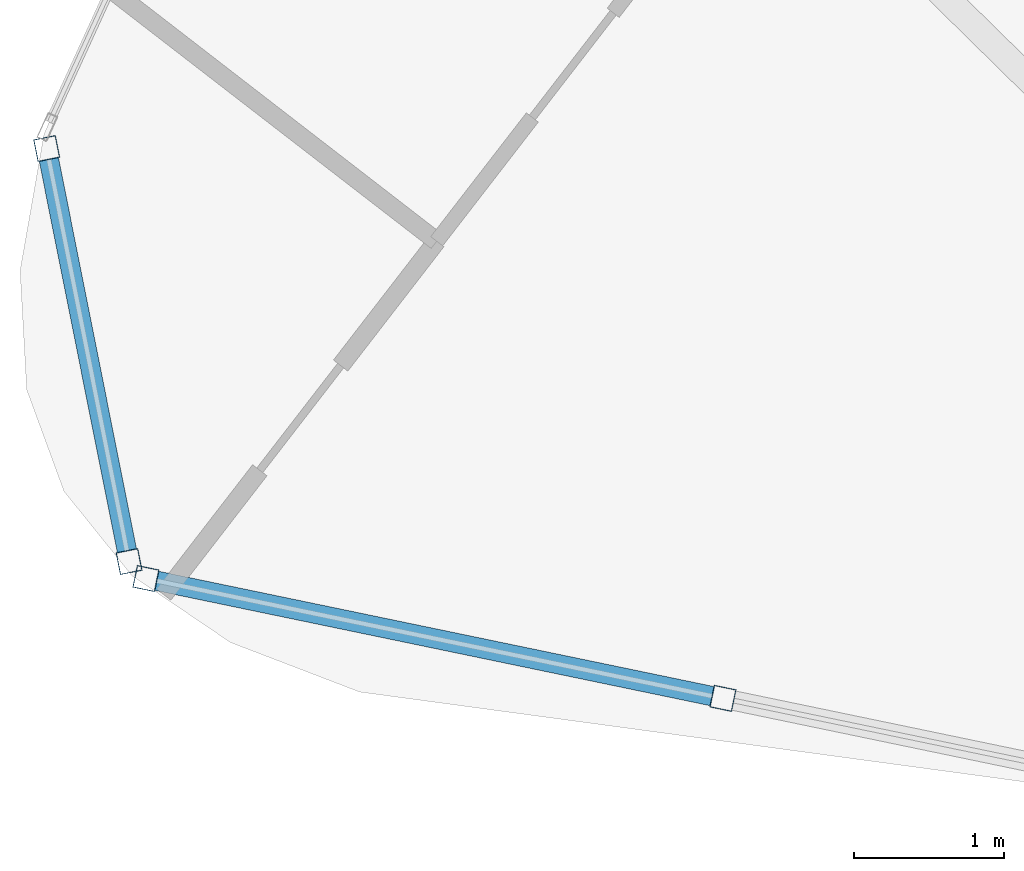
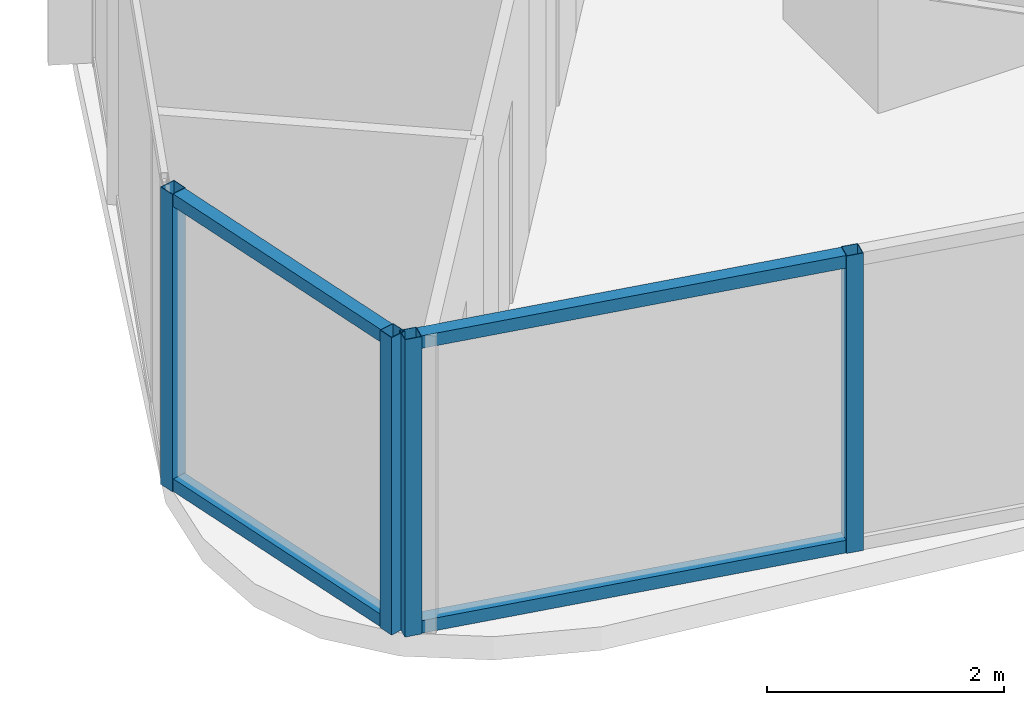
# One storey, part 2 of 34: 8 members, 2 elements without a shape of their own.
"""IFC4 building model written with IfcOpenShell, lengths in metres."""

import ifcopenshell
import ifcopenshell.guid

model = None  # the IFC model being written
_history = None  # IfcOwnerHistory: only IFC2X3 demands one
_inside = {}  # id of a spatial element -> (the spatial element, [elements in it])
_under = {}  # id of a project, library or spatial element -> (it, [spatial elements below it])
_declared = {}  # id of a project -> (the project, [libraries it declares])
_typed = {}  # id of a type object -> (the type object, [elements of that type])
_made_of = {}  # id of a material, layer set ... -> (it, [elements and type objects made of it])


def new_model(schema):
    """Start an empty IFC model of exactly this schema.

    Asked for "IFC4X3", IfcOpenShell would pick the latest addendum, in which some entities
    have other attributes; the version numbers below select the first issue.
    IFC2X3 requires an IfcOwnerHistory on every rooted entity: one is made here for all.
    """
    global model, _history
    if schema == "IFC4X3":
        model = ifcopenshell.file(schema_version=(4, 3, 0, 0))
    else:
        model = ifcopenshell.file(schema=schema)
    _inside.clear()
    _under.clear()
    _declared.clear()
    _typed.clear()
    _made_of.clear()
    _history = None
    if model.schema == "IFC2X3":
        org = make("IfcOrganization", Name="unknown")
        user = make(
            "IfcPersonAndOrganization",
            ThePerson=make("IfcPerson", FamilyName="unknown"),
            TheOrganization=org,
        )
        app = make(
            "IfcApplication",
            ApplicationDeveloper=org,
            Version="unknown",
            ApplicationFullName="unknown",
            ApplicationIdentifier="unknown",
        )
        _history = make(
            "IfcOwnerHistory",
            OwningUser=user,
            OwningApplication=app,
            ChangeAction="ADDED",
            CreationDate=0,
        )
    return model


def make(cls, **values):
    """One entity of the class cls with the attributes given. An attribute that is None is left unset."""
    return model.create_entity(
        cls, **{name: value for name, value in values.items() if value is not None}
    )


def rooted(cls, **values):
    """An entity with a GlobalId (a new one), such as an element, a storey or a relation."""
    return make(cls, GlobalId=ifcopenshell.guid.new(), OwnerHistory=_history, **values)


def si_unit(unit_type, name, prefix=None):
    """IfcSIUnit, for example si_unit("LENGTHUNIT", "METRE", prefix="MILLI")."""
    return make("IfcSIUnit", UnitType=unit_type, Prefix=prefix, Name=name)


def assignment(units):
    """IfcUnitAssignment: the units of a project."""
    return None if units is None else make("IfcUnitAssignment", Units=units)


def point(xyz):
    """IfcCartesianPoint."""
    return None if xyz is None else make("IfcCartesianPoint", Coordinates=xyz)


def direction(xyz):
    """IfcDirection."""
    return None if xyz is None else make("IfcDirection", DirectionRatios=xyz)


def frame(location, z_axis=None, x_axis=None):
    """IfcAxis2Placement3D, a coordinate frame: its origin and axes. An axis left out is left unset."""
    return make(
        "IfcAxis2Placement3D",
        Location=point(location),
        Axis=direction(z_axis),
        RefDirection=direction(x_axis),
    )


def frame_2d(location, x_axis=None):
    """IfcAxis2Placement2D, a coordinate frame in the plane: its origin and x axis."""
    return make(
        "IfcAxis2Placement2D", Location=point(location), RefDirection=direction(x_axis)
    )


def origin():
    """The frame at (0, 0, 0) with its axes left unset."""
    return frame((0.0, 0.0, 0.0))


def origin_2d():
    """The frame at (0, 0) in the plane with its x axis left unset."""
    return frame_2d((0.0, 0.0))


def place(relative_to, where):
    """IfcLocalPlacement: puts the frame where relative to a parent placement (None: the world)."""
    return make(
        "IfcLocalPlacement", PlacementRelTo=relative_to, RelativePlacement=where
    )


def context(
    kind, dimensions, precision=None, world=None, true_north=None, identifier=None
):
    """IfcGeometricRepresentationContext, for example the 3D "Model" context."""
    return make(
        "IfcGeometricRepresentationContext",
        ContextIdentifier=identifier,
        ContextType=kind,
        CoordinateSpaceDimension=dimensions,
        Precision=precision,
        WorldCoordinateSystem=world,
        TrueNorth=true_north,
    )


def subcontext(parent, identifier, kind, view, scale=None):
    """IfcGeometricRepresentationSubContext, for example "Body" below "Model"."""
    return make(
        "IfcGeometricRepresentationSubContext",
        ContextIdentifier=identifier,
        ContextType=kind,
        ParentContext=parent,
        TargetScale=scale,
        TargetView=view,
    )


def project(units=None, contexts=None):
    """IfcProject with its units and contexts."""
    return rooted(
        "IfcProject",
        Name="project",
        RepresentationContexts=contexts,
        UnitsInContext=assignment(units),
    )


def spatial(cls, under=None, at=None, **own):
    """A site, building, storey or space (cls), placed at a placement, below another one or the project."""
    s = rooted(cls, ObjectPlacement=at, **own)
    if under is not None:
        _under.setdefault(under.id(), (under, []))[1].append(s)
    return s


def profile(cls, at=None, kind="AREA", **sizes):
    """A parametric profile (cls). Its sizes go by their IFC names, for example OverallWidth=200.0."""
    return make(cls, ProfileType=kind, Position=at, **sizes)


def hollow_rectangle(**sizes):
    """IfcRectangleHollowProfileDef."""
    return profile("IfcRectangleHollowProfileDef", **sizes)


def extrude(swept, where, along, depth):
    """IfcExtrudedAreaSolid: the profile swept, set in the frame where, extruded along a direction by depth."""
    return make(
        "IfcExtrudedAreaSolid",
        SweptArea=swept,
        Position=where,
        ExtrudedDirection=direction(along),
        Depth=depth,
    )


def shape(context_of_items, identifier, shape_type, items):
    """IfcShapeRepresentation: the items that make up one representation, for example the "Body"."""
    return make(
        "IfcShapeRepresentation",
        ContextOfItems=context_of_items,
        RepresentationIdentifier=identifier,
        RepresentationType=shape_type,
        Items=items,
    )


def material(Name=None, Category=None):
    """IfcMaterial."""
    return make("IfcMaterial", Name=Name, Category=Category)


def layer(
    of_material, thickness, ventilated=None, Name=None, Category=None, Priority=None
):
    """IfcMaterialLayer: one layer of a wall or slab, of a material (None: an air gap)."""
    return make(
        "IfcMaterialLayer",
        Material=of_material,
        LayerThickness=thickness,
        IsVentilated=ventilated,
        Name=Name,
        Category=Category,
        Priority=Priority,
    )


def layer_set(layers, Name=None):
    """IfcMaterialLayerSet."""
    return make("IfcMaterialLayerSet", MaterialLayers=layers, LayerSetName=Name)


def material_profile(
    of_material, cross_section, Name=None, Category=None, Priority=None
):
    """IfcMaterialProfile: a cross section and its material."""
    return make(
        "IfcMaterialProfile",
        Name=Name,
        Material=of_material,
        Profile=cross_section,
        Priority=Priority,
        Category=Category,
    )


def profile_set(profiles, Name=None, composite=None):
    """IfcMaterialProfileSet."""
    return make(
        "IfcMaterialProfileSet",
        Name=Name,
        MaterialProfiles=profiles,
        CompositeProfile=composite,
    )


def made_of(thing, what):
    """Note that an element or type object is made of a material, layer set ...; save() writes the relation."""
    if what is not None:
        _made_of.setdefault(what.id(), (what, []))[1].append(thing)
    return thing


def type_object(cls, material=None, **own):
    """A type object (cls), such as IfcWallType, which elements share."""
    return made_of(rooted(cls, **own), material)


def element(
    cls,
    number,
    at=None,
    inside=None,
    cuts=None,
    type_object=None,
    material=None,
    context=None,
    identifier="Body",
    shape_type=None,
    held_by="IfcProductDefinitionShape",
    body=None,
    shapes=None,
    **own,
):
    """One element of the class cls, such as IfcWall. Its Tag is "e" and its number.

    at: its placement. inside: the storey or other place that contains it. cuts: it is an
    opening in that element (IfcRelVoidsElement). A single representation is given by context,
    identifier, shape_type and body (its items); several are given by shapes. held_by: the class
    of the entity that holds the representations. save() writes the other relations.
    """
    e = rooted(cls, Tag="e%d" % number, ObjectPlacement=at, **own)
    if body is not None:
        shapes = [shape(context, identifier, shape_type, body)]
    if shapes is not None:
        e.Representation = make(held_by, Representations=shapes)
    if inside is not None:
        _inside.setdefault(inside.id(), (inside, []))[1].append(e)
    if cuts is not None:
        rooted(
            "IfcRelVoidsElement", RelatingBuildingElement=cuts, RelatedOpeningElement=e
        )
    if type_object is not None:
        _typed.setdefault(type_object.id(), (type_object, []))[1].append(e)
    return made_of(e, material)


def aggregate(whole, parts):
    """IfcRelAggregates: a whole, such as a stair, and the parts it consists of."""
    return rooted("IfcRelAggregates", RelatingObject=whole, RelatedObjects=parts)


def save(model, path):
    """Write the relations noted so far, then the file.

    IfcRelAggregates (storeys below a building ...), IfcRelContainedInSpatialStructure (elements
    in a storey), IfcRelDefinesByType, IfcRelAssociatesMaterial and IfcRelDeclares: one each for
    every whole, place, type object, material and project.
    """
    for whole, parts in _under.values():
        aggregate(whole, parts)
    for where, things in _inside.values():
        rooted(
            "IfcRelContainedInSpatialStructure",
            RelatedElements=things,
            RelatingStructure=where,
        )
    for kind, things in _typed.values():
        rooted("IfcRelDefinesByType", RelatedObjects=things, RelatingType=kind)
    for what, things in _made_of.values():
        rooted("IfcRelAssociatesMaterial", RelatedObjects=things, RelatingMaterial=what)
    for by, libraries in _declared.values():
        rooted("IfcRelDeclares", RelatingContext=by, RelatedDefinitions=libraries)
    model.write(path)


model = new_model("IFC4")

# Units and contexts
model_context = context("Model", 3, precision=1e-05, world=origin(), true_north=direction((0.0, 1.0)))
body_context = subcontext(model_context, "Body", "Model", "MODEL_VIEW")
ifc_project = project(units=[si_unit("LENGTHUNIT", "METRE"), si_unit("AREAUNIT", "SQUARE_METRE"), si_unit("VOLUMEUNIT", "CUBIC_METRE"), si_unit("PLANEANGLEUNIT", "RADIAN"), si_unit("MASSUNIT", "GRAM", prefix="KILO")], contexts=[model_context])

# Site, building, storey
site_placement = place(None, origin())
site = spatial("IfcSite", under=ifc_project, at=site_placement, CompositionType="ELEMENT")
building_placement = place(site_placement, origin())
building = spatial("IfcBuilding", under=site, at=building_placement, Name="Orvanel Arch Residences", CompositionType="ELEMENT")
storey_placement = place(building_placement, frame((0.0, 0.0, 77.449951171875)))
storey = spatial("IfcBuildingStorey", under=building, at=storey_placement, Name="L21", CompositionType="ELEMENT", Elevation=77.449951171875)

# Curtain wall, members
ifc_material = material(Name="Bronze-anodised aluminium AA6063-T6", Category="aluminium")
ifc_layer = layer(ifc_material, 0.18994140625)
ifc_layer_set = layer_set([ifc_layer], Name="Bronze-anodised aluminium AA6063-T6")
curtain_wall_type = type_object("IfcCurtainWallType", Name="CW5-CRN-SYS", PredefinedType="NOTDEFINED", material=ifc_layer_set)
curtain_wall_1_placement = place(storey_placement, origin())
curtain_wall_1 = element("IfcCurtainWall", 1, at=curtain_wall_1_placement, inside=storey, type_object=curtain_wall_type, Name="L21 CW5-CRN-SYS Unitised Curtain Wall", PredefinedType="NOTDEFINED")
ifc_material_profile_1 = material_profile(ifc_material, hollow_rectangle(XDim=0.14990234375, YDim=0.14990234375, WallThickness=0.0048828125, at=origin_2d()), Name="ALU150x150x5")
ifc_profile_set_1 = profile_set([ifc_material_profile_1], Name="Bronze-anodised aluminium AA6063-T6")
member_type_1 = type_object("IfcMemberType", Name="MUL-150x150", PredefinedType="MULLION", material=ifc_profile_set_1)
member_1_placement = place(storey_placement, frame((5.528564453125, 7.802490234375, 0.0), z_axis=(0.0, 0.0, 1.0), x_axis=(0.980697802401, 0.19552958949, 0.0)))
member_1 = element("IfcMember", 2, at=member_1_placement, type_object=member_type_1, Name="CW-S5 mullion 1", PredefinedType="MULLION", context=body_context, shape_type="SweptSolid", body=[
    extrude(hollow_rectangle(XDim=0.14990234375, YDim=0.14990234375, WallThickness=0.0048828125, at=origin_2d()), origin(), (0.0, 0.0, 1.0), 3.06005859375),
])
member_2_placement = place(storey_placement, frame((6.076416015625, 5.0556640625, 0.0), z_axis=(0.0, 0.0, 1.0), x_axis=(0.980697802401, 0.19552958949, 0.0)))
member_2 = element("IfcMember", 3, at=member_2_placement, type_object=member_type_1, Name="CW-S5 mullion 2", PredefinedType="MULLION", context=body_context, shape_type="SweptSolid", body=[
    extrude(hollow_rectangle(XDim=0.14990234375, YDim=0.14990234375, WallThickness=0.0048828125, at=origin_2d()), origin(), (0.0, 0.0, 1.0), 3.06005859375),
])

curtain_wall_2_placement = place(storey_placement, origin())
curtain_wall_2 = element("IfcCurtainWall", 4, at=curtain_wall_2_placement, inside=storey, type_object=curtain_wall_type, Name="L21 CW5-CRN-SYS Unitised Curtain Wall", PredefinedType="NOTDEFINED")
member_3_placement = place(storey_placement, frame((6.1884765625, 4.94287109375, 0.0), z_axis=(0.0, 0.0, 1.0), x_axis=(0.203284384132, 0.97911973689, 0.0)))
member_3 = element("IfcMember", 5, at=member_3_placement, type_object=member_type_1, Name="CW-S5 mullion 1", PredefinedType="MULLION", context=body_context, shape_type="SweptSolid", body=[
    extrude(hollow_rectangle(XDim=0.14990234375, YDim=0.14990234375, WallThickness=0.0048828125, at=origin_2d()), origin(), (0.0, 0.0, 1.0), 3.06005859375),
])
member_4_placement = place(storey_placement, frame((10.02587890625, 4.14599609375, 0.0), z_axis=(0.0, 0.0, 1.0), x_axis=(0.203284384132, 0.97911973689, 0.0)))
member_4 = element("IfcMember", 6, at=member_4_placement, type_object=member_type_1, Name="CW-S5 mullion 2", PredefinedType="MULLION", context=body_context, shape_type="SweptSolid", body=[
    extrude(hollow_rectangle(XDim=0.14990234375, YDim=0.14990234375, WallThickness=0.0048828125, at=origin_2d()), origin(), (0.0, 0.0, 1.0), 3.06005859375),
])

# Member
ifc_material_profile_2 = material_profile(ifc_material, hollow_rectangle(XDim=0.1298828125, YDim=0.1298828125, WallThickness=0.00439453125, at=origin_2d()), Name="ALU130x130x4.5")
ifc_profile_set_2 = profile_set([ifc_material_profile_2], Name="Bronze-anodised aluminium AA6063-T6")
member_type_2 = type_object("IfcMemberType", Name="TRN-130x130", PredefinedType="USERDEFINED", material=ifc_profile_set_2)
member_5_placement = place(storey_placement, frame((5.543212890625, 7.72900390625, 0.06494140625), z_axis=(0.195602520569, -0.980683258727, 0.0), x_axis=(0.980683258727, 0.195602520569, 0.0)))
member_5 = element("IfcMember", 7, at=member_5_placement, type_object=member_type_2, Name="CW-S5 transom 1.1", ObjectType="TRANSOM", PredefinedType="USERDEFINED", context=body_context, shape_type="SweptSolid", body=[
    extrude(hollow_rectangle(XDim=0.1298828125, YDim=0.1298828125, WallThickness=0.00439453125, at=origin_2d()), origin(), (0.0, 0.0, 1.0), 2.651123046875),
])

member_6_placement = place(storey_placement, frame((5.543212890625, 7.72900390625, 2.9951171875), z_axis=(0.195602520569, -0.980683258727, 0.0), x_axis=(0.980683258727, 0.195602520569, 0.0)))
member_6 = element("IfcMember", 8, at=member_6_placement, type_object=member_type_2, Name="CW-S5 transom 1.2", ObjectType="TRANSOM", PredefinedType="USERDEFINED", context=body_context, shape_type="SweptSolid", body=[
    extrude(hollow_rectangle(XDim=0.1298828125, YDim=0.1298828125, WallThickness=0.00439453125, at=origin_2d()), origin(), (0.0, 0.0, 1.0), 2.651123046875),
])

aggregate(curtain_wall_1, [member_1, member_2, member_5, member_6])

member_7_placement = place(storey_placement, frame((6.261962890625, 4.927490234375, 0.06494140625), z_axis=(0.979114380147, -0.20331018319, 0.0), x_axis=(0.20331018319, 0.979114380147, 0.0)))
member_7 = element("IfcMember", 9, at=member_7_placement, type_object=member_type_2, Name="CW-S5 transom 1.1", ObjectType="TRANSOM", PredefinedType="USERDEFINED", context=body_context, shape_type="SweptSolid", body=[
    extrude(hollow_rectangle(XDim=0.1298828125, YDim=0.1298828125, WallThickness=0.00439453125, at=origin_2d()), origin(), (0.0, 0.0, 1.0), 3.769287109375),
])

member_8_placement = place(storey_placement, frame((6.261962890625, 4.927490234375, 2.9951171875), z_axis=(0.979114380147, -0.20331018319, 0.0), x_axis=(0.20331018319, 0.979114380147, 0.0)))
member_8 = element("IfcMember", 10, at=member_8_placement, type_object=member_type_2, Name="CW-S5 transom 1.2", ObjectType="TRANSOM", PredefinedType="USERDEFINED", context=body_context, shape_type="SweptSolid", body=[
    extrude(hollow_rectangle(XDim=0.1298828125, YDim=0.1298828125, WallThickness=0.00439453125, at=origin_2d()), origin(), (0.0, 0.0, 1.0), 3.769287109375),
])

aggregate(curtain_wall_2, [member_3, member_4, member_7, member_8])

save(model, "model.ifc")
